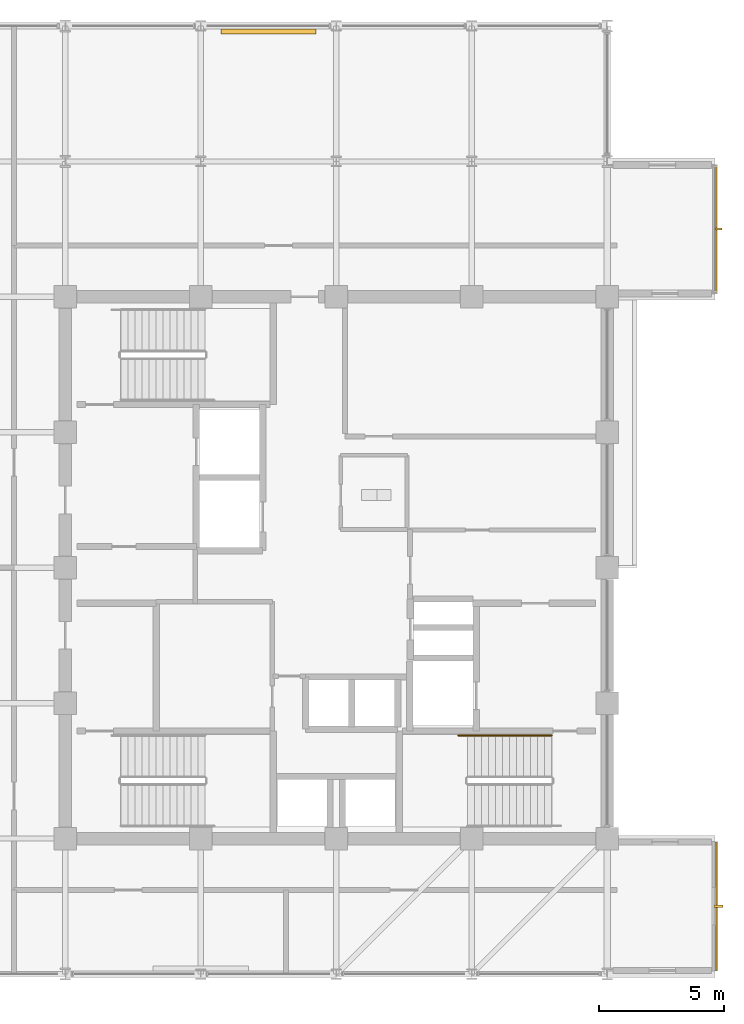
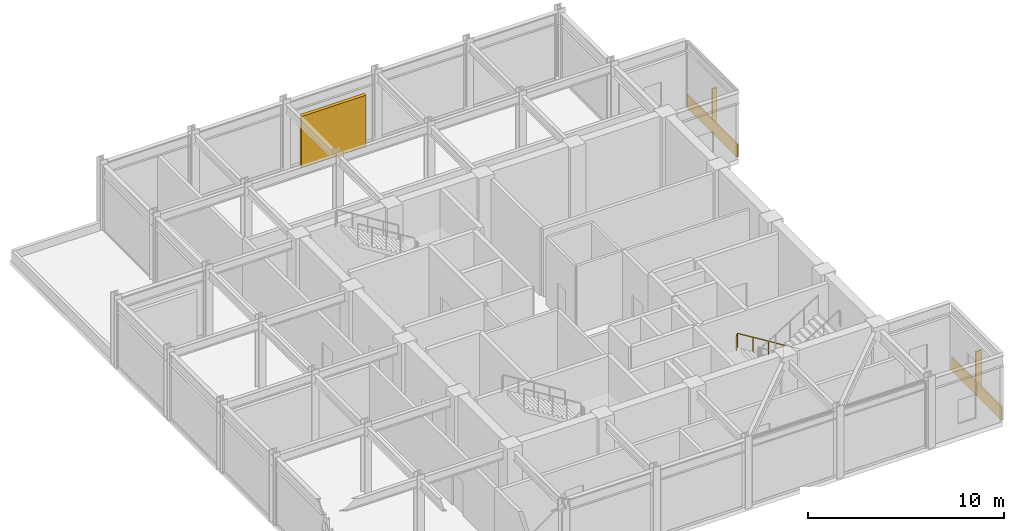
# One storey, part 21 of 22: 3 shading devices, 2 coverings, 1 railing.
"""IFC4 building model written with IfcOpenShell, lengths in metres."""

from ifc_helpers import new_model, si_unit, direction, frame, origin, origin_2d, place, context, subcontext, project, spatial, rectangle, circle, extrude, material, layer, layer_set, type_object, element, save


model = new_model("IFC4")

# Units and contexts
model_context = context("Model", 3, precision=1e-05, world=origin(), true_north=direction((0.0, 1.0)))
body_context = subcontext(model_context, "Body", "Model", "MODEL_VIEW")
ifc_project = project(units=[si_unit("LENGTHUNIT", "METRE"), si_unit("AREAUNIT", "SQUARE_METRE"), si_unit("VOLUMEUNIT", "CUBIC_METRE"), si_unit("PLANEANGLEUNIT", "RADIAN"), si_unit("MASSUNIT", "GRAM", prefix="KILO")], contexts=[model_context])

# Site, building, storey
site_placement = place(None, origin())
site = spatial("IfcSite", under=ifc_project, at=site_placement, CompositionType="ELEMENT")
building_placement = place(site_placement, origin())
building = spatial("IfcBuilding", under=site, at=building_placement, Name="Surkhivell Harbour Commons", CompositionType="ELEMENT")
storey_placement = place(building_placement, frame((0.0, 0.0, 342.0)))
storey = spatial("IfcBuildingStorey", under=building, at=storey_placement, Name="L89", CompositionType="ELEMENT", Elevation=342.0)

# Coverings
ifc_material_1 = material(Name="Cobalt-azure enamelled aluminium cassette panel", Category="aluminium")
ifc_layer_1 = layer(ifc_material_1, 0.072021484375)
ifc_layer_set_1 = layer_set([ifc_layer_1], Name="Cobalt-azure enamelled aluminium cassette panel")
covering_type_1 = type_object("IfcCoveringType", Name="COV-CLAD-COB", PredefinedType="CLADDING", material=ifc_layer_set_1)
covering_1_placement = place(storey_placement, frame((15.139892578125, 13.5, 0.0), z_axis=(0.0, 0.0, 1.0), x_axis=(1.0, 0.0, 0.0)))
element("IfcCovering", 1, at=covering_1_placement, inside=storey, type_object=covering_type_1, Name="L89 Coloured-Panel Box Spandrel Cassette 02", PredefinedType="CLADDING", context=body_context, shape_type="SweptSolid", body=[
    extrude(rectangle(XDim=0.080078125, YDim=5.10009765625, at=origin_2d()), origin(), (0.0, 0.0, 1.0), 0.840087890625),
])
ifc_material_2 = material(Name="Emerald-teal enamelled aluminium cassette panel", Category="aluminium")
ifc_layer_2 = layer(ifc_material_2, 0.068115234375)
ifc_layer_set_2 = layer_set([ifc_layer_2], Name="Emerald-teal enamelled aluminium cassette panel")
covering_type_2 = type_object("IfcCoveringType", Name="COV-CLAD-EME", PredefinedType="CLADDING", material=ifc_layer_set_2)
covering_2_placement = place(storey_placement, frame((15.139892578125, -13.5, 0.0), z_axis=(0.0, 0.0, 1.0), x_axis=(1.0, 0.0, 0.0)))
element("IfcCovering", 2, at=covering_2_placement, inside=storey, type_object=covering_type_2, Name="L89 Coloured-Panel Box Spandrel Cassette 01", PredefinedType="CLADDING", context=body_context, shape_type="SweptSolid", body=[
    extrude(rectangle(XDim=0.080078125, YDim=5.10009765625, at=origin_2d()), origin(), (0.0, 0.0, 1.0), 0.840087890625),
])

# Railing
ifc_material_3 = material(Name="Brushed stainless steel S355 handrail", Category="steel")
railing_type = type_object("IfcRailingType", Name="RAL-ST-HND900", PredefinedType="HANDRAIL", material=ifc_material_3)
railing_placement = place(storey_placement, frame((8.590087890625, -6.68994140625, 0.173095703125)))
element("IfcRailing", 3, at=railing_placement, inside=storey, type_object=railing_type, Name="L89 ST2 stair handrail 1", PredefinedType="HANDRAIL", context=body_context, shape_type="SweptSolid", body=[
    extrude(circle(Radius=0.02392578125, at=origin_2d()), frame((0.0, 0.0, 0.8759765625), z_axis=(-0.850622404505, 0.0, 0.525777067734), x_axis=(0.0, -1.0, 0.0)), (0.0, 0.0, 1.0), 4.279296875),
    extrude(circle(Radius=0.02392578125, at=origin_2d()), frame((-3.64013671875, 0.0, 3.1259765625), z_axis=(-0.418814502111, 0.0, -0.908071810388), x_axis=(0.0, -1.0, 0.0)), (0.0, 0.0, 1.0), 0.190673828125),
    extrude(circle(Radius=0.02099609375, at=origin_2d()), origin(), (0.0, 0.0, 1.0), 0.851806640625),
    extrude(circle(Radius=0.02099609375, at=origin_2d()), frame((-0.91015625, 0.0, 0.5625)), (0.0, 0.0, 1.0), 0.851806640625),
    extrude(circle(Radius=0.02099609375, at=origin_2d()), frame((-1.820068359375, 0.0, 1.125)), (0.0, 0.0, 1.0), 0.851806640625),
    extrude(circle(Radius=0.02099609375, at=origin_2d()), frame((-2.72998046875, 0.0, 1.6875)), (0.0, 0.0, 1.0), 0.851806640625),
    extrude(circle(Radius=0.02099609375, at=origin_2d()), frame((-3.64013671875, 0.0, 2.25)), (0.0, 0.0, 1.0), 0.851806640625),
    extrude(circle(Radius=0.02099609375, at=origin_2d()), frame((-3.719970703125, 0.0, 2.076904296875)), (0.0, 0.0, 1.0), 0.851806640625),
])

# Shading devices
ifc_material_4 = material(Name="Champagne anodised aluminium solar fin", Category="aluminium")
shading_device_type_1 = type_object("IfcShadingDeviceType", Name="SHD-FIN-SLIM", PredefinedType="USERDEFINED", material=ifc_material_4)
shading_device_1_placement = place(storey_placement, frame((15.239990234375, 13.5, 0.0048828125), z_axis=(0.0, 0.0, 1.0), x_axis=(1.0, 0.0, 0.0)))
element("IfcShadingDevice", 4, at=shading_device_1_placement, inside=storey, type_object=shading_device_type_1, Name="L89 Coloured-Box Solar Fin 02", ObjectType="FIN", PredefinedType="USERDEFINED", context=body_context, shape_type="SweptSolid", body=[
    extrude(rectangle(XDim=0.280029296875, YDim=0.080078125, at=origin_2d()), origin(), (0.0, 0.0, 1.0), 2.75),
])
ifc_material_5 = material(Name="Anodised pale-metal aluminium solar fin", Category="aluminium")
shading_device_type_2 = type_object("IfcShadingDeviceType", Name="SHD-FIN-VERT", PredefinedType="USERDEFINED", material=ifc_material_5)
shading_device_2_placement = place(storey_placement, frame((15.239990234375, -13.5, 0.0048828125), z_axis=(0.0, 0.0, 1.0), x_axis=(1.0, 0.0, 0.0)))
element("IfcShadingDevice", 5, at=shading_device_2_placement, inside=storey, type_object=shading_device_type_2, Name="L89 Coloured-Box Solar Fin 01", ObjectType="FIN", PredefinedType="USERDEFINED", context=body_context, shape_type="SweptSolid", body=[
    extrude(rectangle(XDim=0.360107421875, YDim=0.090087890625, at=origin_2d()), origin(), (0.0, 0.0, 1.0), 2.75),
])
ifc_material_6 = material(Name="Crown pale-metal storm louvre assembly", Category="aluminium")
shading_device_type_3 = type_object("IfcShadingDeviceType", Name="SHD-LOUV-CRN", PredefinedType="JALOUSIE", material=ifc_material_6)
shading_device_3_placement = place(storey_placement, frame((-2.699951171875, 21.3798828125, 0.0), z_axis=(0.0, 0.0, 1.0), x_axis=(1.0, 0.0, 0.0)))
element("IfcShadingDevice", 6, at=shading_device_3_placement, inside=storey, type_object=shading_device_type_3, Name="L89 Crown Acoustic Louvre Screen 05", PredefinedType="JALOUSIE", context=body_context, shape_type="SweptSolid", body=[
    extrude(rectangle(XDim=3.800048828125, YDim=0.199951171875, at=origin_2d()), origin(), (0.0, 0.0, 1.0), 3.199951171875),
])

save(model, "model.ifc")
